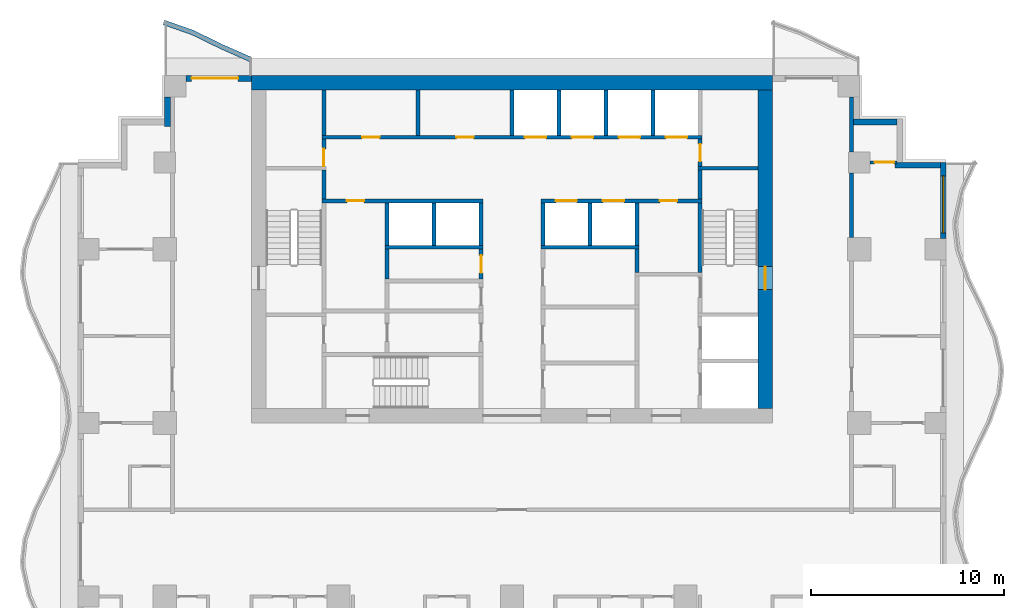
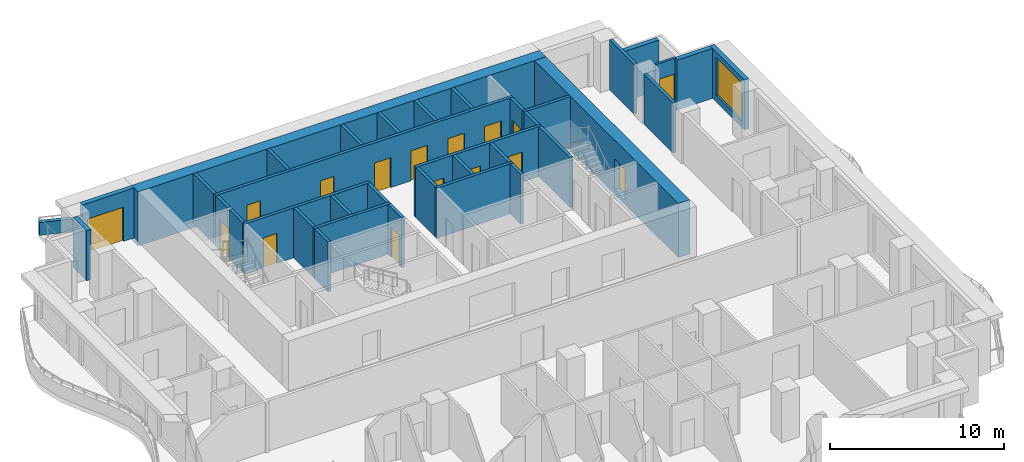
# One storey, part 5 of 10: 37 walls, 16 doors, 1 window, 17 openings.
"""IFC4 building model written with IfcOpenShell, lengths in metres."""

from ifc_helpers import new_model, si_unit, direction, frame, frame_2d, origin, place, context, subcontext, project, spatial, polyline, rectangle, outline, extrude, material, layer, layer_set, type_object, element, fill, save


model = new_model("IFC4")

# Units and contexts
model_context = context("Model", 3, precision=1e-05, world=origin(), true_north=direction((0.0, 1.0)))
body_context = subcontext(model_context, "Body", "Model", "MODEL_VIEW")
ifc_project = project(units=[si_unit("LENGTHUNIT", "METRE"), si_unit("AREAUNIT", "SQUARE_METRE"), si_unit("VOLUMEUNIT", "CUBIC_METRE"), si_unit("PLANEANGLEUNIT", "RADIAN"), si_unit("MASSUNIT", "GRAM", prefix="KILO")], contexts=[model_context])

# Site, building, storey
site_placement = place(None, origin())
site = spatial("IfcSite", under=ifc_project, at=site_placement, CompositionType="ELEMENT")
building_placement = place(site_placement, origin())
building = spatial("IfcBuilding", under=site, at=building_placement, Name="Orbiselva Terraces", CompositionType="ELEMENT")
storey_placement = place(building_placement, frame((0.0, 0.0, 170.6)))
storey = spatial("IfcBuildingStorey", under=building, at=storey_placement, Name="L43", CompositionType="ELEMENT", Elevation=170.6)

# Wall, opening, door
ifc_material_1 = material(Name="Concrete C80/95", Category="concrete")
ifc_layer_1 = layer(ifc_material_1, 0.75)
ifc_layer_set_1 = layer_set([ifc_layer_1], Name="Concrete C80/95")
wall_type_1 = type_object("IfcWallType", Name="CORE WALL 750", PredefinedType="SHEAR", material=ifc_layer_set_1)
wall_1_placement = place(storey_placement, frame((13.125, 5.25, -0.3), z_axis=(0.0, 0.0, 1.0), x_axis=(0.0, 1.0, 0.0)))
wall_1 = element("IfcWall", 1, at=wall_1_placement, inside=storey, type_object=wall_type_1, Name="Core wall L43 east", PredefinedType="SHEAR", context=body_context, shape_type="SweptSolid", body=[
    extrude(rectangle(XDim=16.5, YDim=0.75, at=frame_2d((8.25, 0.0))), origin(), (0.0, 0.0, 1.0), 3.8),
])
opening_1_placement = place(wall_1_placement, frame((6.15, 0.0, 0.3)))
opening_1 = element("IfcOpeningElement", 2, at=opening_1_placement, cuts=wall_1, Name="Opening DS1200", PredefinedType="OPENING", context=body_context, shape_type="SweptSolid", body=[
    extrude(rectangle(XDim=1.2, YDim=2.2, at=frame_2d((0.6, 1.1))), frame((0.0, 0.385, 0.0), z_axis=(0.0, -1.0, 0.0), x_axis=(1.0, 0.0, 0.0)), (0.0, 0.0, 1.0), 0.77),
])
ifc_material_2 = material(Name="Steel fire door", Category="steel")
door_type_1 = type_object("IfcDoorType", Name="STAIR DOOR 1200", OperationType="NOTDEFINED", PredefinedType="DOOR", material=ifc_material_2)
door_1_placement = place(opening_1_placement, frame((1.2, 0.0, 0.0), z_axis=(0.0, 0.0, 1.0), x_axis=(-1.0, 0.0, 0.0)))
door_1 = element("IfcDoor", 3, at=door_1_placement, inside=storey, type_object=door_type_1, Name="L43 EXIT STAIR S2 door", OperationType="SINGLE_SWING_LEFT", OverallHeight=2.2, OverallWidth=1.2, PredefinedType="DOOR", context=body_context, shape_type="SweptSolid", body=[
    extrude(rectangle(XDim=1.2, YDim=2.2, at=frame_2d((0.6, 1.1))), frame((0.0, 0.025, 0.0), z_axis=(0.0, -1.0, 0.0), x_axis=(1.0, 0.0, 0.0)), (0.0, 0.0, 1.0), 0.05),
])
fill(opening_1, door_1)

# Wall
ifc_layer_2 = layer(ifc_material_1, 0.75)
ifc_layer_set_2 = layer_set([ifc_layer_2], Name="Concrete C80/95")
wall_type_2 = type_object("IfcWallType", Name="CORE WALL 750 EXTERNAL", PredefinedType="SHEAR", material=ifc_layer_set_2)
wall_2_placement = place(storey_placement, frame((13.5, 22.125, -0.3), z_axis=(0.0, 0.0, 1.0), x_axis=(-1.0, 0.0, 0.0)))
element("IfcWall", 4, at=wall_2_placement, inside=storey, type_object=wall_type_2, Name="Core wall L43 north", PredefinedType="SHEAR", context=body_context, shape_type="SweptSolid", body=[
    extrude(rectangle(XDim=27.0, YDim=0.75, at=frame_2d((13.5, 0.0))), origin(), (0.0, 0.0, 1.0), 3.8),
])

# Wall, opening, door
ifc_material_3 = material(Name="Masonry blockwork", Category="masonry")
ifc_layer_3 = layer(ifc_material_3, 0.2)
ifc_layer_set_3 = layer_set([ifc_layer_3], Name="Masonry blockwork")
wall_type_3 = type_object("IfcWallType", Name="CORE-WALL-PARTITION-200", PredefinedType="PARTITIONING", material=ifc_layer_set_3)
wall_3_placement = place(storey_placement, frame((-9.75, 17.8, 0.0), z_axis=(0.0, 0.0, 1.0), x_axis=(0.0, 1.0, 0.0)))
wall_3 = element("IfcWall", 5, at=wall_3_placement, inside=storey, type_object=wall_type_3, Name="L43 core wall 10", PredefinedType="PARTITIONING", context=body_context, shape_type="SweptSolid", body=[
    extrude(rectangle(XDim=1.4, YDim=0.2, at=frame_2d((0.7, 0.0))), origin(), (0.0, 0.0, 1.0), 3.5),
])
opening_2_placement = place(wall_3_placement, origin())
opening_2 = element("IfcOpeningElement", 6, at=opening_2_placement, cuts=wall_3, Name="Opening DR900", PredefinedType="OPENING", context=body_context, shape_type="SweptSolid", body=[
    extrude(rectangle(XDim=0.9, YDim=2.1, at=frame_2d((0.45, 1.05))), frame((0.0, 0.11, 0.0), z_axis=(0.0, -1.0, 0.0), x_axis=(1.0, 0.0, 0.0)), (0.0, 0.0, 1.0), 0.22),
])
door_type_2 = type_object("IfcDoorType", Name="ROOM DOOR 900", OperationType="NOTDEFINED", PredefinedType="DOOR", material=ifc_material_2)
door_2_placement = place(opening_2_placement, origin())
door_2 = element("IfcDoor", 7, at=door_2_placement, inside=storey, type_object=door_type_2, Name="L43 COMMS RISER ROOM door", OperationType="SINGLE_SWING_LEFT", OverallHeight=2.1, OverallWidth=0.9, PredefinedType="DOOR", context=body_context, shape_type="SweptSolid", body=[
    extrude(rectangle(XDim=0.9, YDim=2.1, at=frame_2d((0.45, 1.05))), frame((0.0, 0.025, 0.0), z_axis=(0.0, -1.0, 0.0), x_axis=(1.0, 0.0, 0.0)), (0.0, 0.0, 1.0), 0.05),
])
fill(opening_2, door_2)

# Walls
wall_4_placement = place(storey_placement, frame((-9.75, 19.4, 0.0), z_axis=(0.0, 0.0, 1.0), x_axis=(0.0, 1.0, 0.0)))
element("IfcWall", 8, at=wall_4_placement, inside=storey, type_object=wall_type_3, Name="L43 core wall 12", PredefinedType="PARTITIONING", context=body_context, shape_type="SweptSolid", body=[
    extrude(rectangle(XDim=2.35, YDim=0.2, at=frame_2d((1.175, 0.0))), origin(), (0.0, 0.0, 1.0), 3.5),
])
wall_5_placement = place(storey_placement, frame((-6.475, 11.95, 0.0), z_axis=(0.0, 0.0, 1.0), x_axis=(0.0, 1.0, 0.0)))
element("IfcWall", 9, at=wall_5_placement, inside=storey, type_object=wall_type_3, Name="L43 core wall 16", PredefinedType="PARTITIONING", context=body_context, shape_type="SweptSolid", body=[
    extrude(rectangle(XDim=1.55, YDim=0.2, at=frame_2d((0.775, 0.0))), origin(), (0.0, 0.0, 1.0), 3.5),
])
wall_6_placement = place(storey_placement, frame((-4.875, 19.4, 0.0), z_axis=(0.0, 0.0, 1.0), x_axis=(0.0, 1.0, 0.0)))
element("IfcWall", 10, at=wall_6_placement, inside=storey, type_object=wall_type_3, Name="L43 core wall 19", PredefinedType="PARTITIONING", context=body_context, shape_type="SweptSolid", body=[
    extrude(rectangle(XDim=2.35, YDim=0.2, at=frame_2d((1.175, 0.0))), origin(), (0.0, 0.0, 1.0), 3.5),
])

# Wall, opening, door
wall_7_placement = place(storey_placement, frame((-1.6, 11.95, 0.0), z_axis=(0.0, 0.0, 1.0), x_axis=(0.0, 1.0, 0.0)))
wall_7 = element("IfcWall", 11, at=wall_7_placement, inside=storey, type_object=wall_type_3, Name="L43 core wall 24", PredefinedType="PARTITIONING", context=body_context, shape_type="SweptSolid", body=[
    extrude(rectangle(XDim=1.55, YDim=0.2, at=frame_2d((0.775, 0.0))), origin(), (0.0, 0.0, 1.0), 3.5),
])
opening_3_placement = place(wall_7_placement, frame((0.325, 0.0, 0.0)))
opening_3 = element("IfcOpeningElement", 12, at=opening_3_placement, cuts=wall_7, Name="Opening DR900", PredefinedType="OPENING", context=body_context, shape_type="SweptSolid", body=[
    extrude(rectangle(XDim=0.9, YDim=2.1, at=frame_2d((0.45, 1.05))), frame((0.0, 0.11, 0.0), z_axis=(0.0, -1.0, 0.0), x_axis=(1.0, 0.0, 0.0)), (0.0, 0.0, 1.0), 0.22),
])
door_3_placement = place(opening_3_placement, origin())
door_3 = element("IfcDoor", 13, at=door_3_placement, inside=storey, type_object=door_type_2, Name="L43 LINEN STORE door", OperationType="SINGLE_SWING_LEFT", OverallHeight=2.1, OverallWidth=0.9, PredefinedType="DOOR", context=body_context, shape_type="SweptSolid", body=[
    extrude(rectangle(XDim=0.9, YDim=2.1, at=frame_2d((0.45, 1.05))), frame((0.0, 0.025, 0.0), z_axis=(0.0, -1.0, 0.0), x_axis=(1.0, 0.0, 0.0)), (0.0, 0.0, 1.0), 0.05),
])
fill(opening_3, door_3)

# Wall
wall_8_placement = place(storey_placement, frame((6.475, 12.3, 0.0), z_axis=(0.0, 0.0, 1.0), x_axis=(0.0, 1.0, 0.0)))
element("IfcWall", 14, at=wall_8_placement, inside=storey, type_object=wall_type_3, Name="L43 core wall 42", PredefinedType="PARTITIONING", context=body_context, shape_type="SweptSolid", body=[
    extrude(rectangle(XDim=1.2, YDim=0.2, at=frame_2d((0.6, 0.0))), origin(), (0.0, 0.0, 1.0), 3.5),
])

# Wall, opening, door
wall_9_placement = place(storey_placement, frame((9.75, 19.2, 0.0), z_axis=(0.0, 0.0, 1.0), x_axis=(0.0, -1.0, 0.0)))
wall_9 = element("IfcWall", 15, at=wall_9_placement, inside=storey, type_object=wall_type_3, Name="L43 core wall 53", PredefinedType="PARTITIONING", context=body_context, shape_type="SweptSolid", body=[
    extrude(rectangle(XDim=1.4, YDim=0.2, at=frame_2d((0.7, 0.0))), origin(), (0.0, 0.0, 1.0), 3.5),
])
opening_4_placement = place(wall_9_placement, frame((0.25, 0.0, 0.0)))
opening_4 = element("IfcOpeningElement", 16, at=opening_4_placement, cuts=wall_9, Name="Opening DR900", PredefinedType="OPENING", context=body_context, shape_type="SweptSolid", body=[
    extrude(rectangle(XDim=0.9, YDim=2.1, at=frame_2d((0.45, 1.05))), frame((0.0, 0.11, 0.0), z_axis=(0.0, -1.0, 0.0), x_axis=(1.0, 0.0, 0.0)), (0.0, 0.0, 1.0), 0.22),
])
door_4_placement = place(opening_4_placement, origin())
door_4 = element("IfcDoor", 17, at=door_4_placement, inside=storey, type_object=door_type_2, Name="L43 ELECTRICAL RISER ROOM door", OperationType="SINGLE_SWING_RIGHT", OverallHeight=2.1, OverallWidth=0.9, PredefinedType="DOOR", context=body_context, shape_type="SweptSolid", body=[
    extrude(rectangle(XDim=0.9, YDim=2.1, at=frame_2d((0.45, 1.05))), frame((0.0, 0.025, 0.0), z_axis=(0.0, -1.0, 0.0), x_axis=(1.0, 0.0, 0.0)), (0.0, 0.0, 1.0), 0.05),
])
fill(opening_4, door_4)

# Walls
ifc_material_4 = material(Name="Concrete C40/50", Category="concrete")
ifc_layer_4 = layer(ifc_material_4, 0.2)
ifc_layer_set_4 = layer_set([ifc_layer_4], Name="Concrete C40/50")
wall_type_4 = type_object("IfcWallType", Name="CORE-WALL-SHAFT-200", PredefinedType="PARTITIONING", material=ifc_layer_set_4)
for number, where, z_axis, x_axis, name in (
    (18, (-6.475, 13.7, 0.0), (0.0, 0.0, 1.0), (0.0, 1.0, 0.0), "L43 core wall 18"),
    (19, (-4.0375, 13.7, 0.0), (0.0, 0.0, 1.0), (0.0, 1.0, 0.0), "L43 core wall 20"),
    (20, (-1.6, 13.7, 0.0), (0.0, 0.0, 1.0), (0.0, 1.0, 0.0), "L43 core wall 25"),
):
    element("IfcWall", number, at=place(storey_placement, frame(where, z_axis=z_axis, x_axis=x_axis)), inside=storey, type_object=wall_type_4, Name=name, PredefinedType="PARTITIONING", context=body_context, shape_type="SweptSolid", body=[
        extrude(rectangle(XDim=2.2, YDim=0.2, at=frame_2d((1.1, 0.0))), origin(), (0.0, 0.0, 1.0), 3.5),
    ])
wall_10_placement = place(storey_placement, frame((0.0, 19.4, 0.0), z_axis=(0.0, 0.0, 1.0), x_axis=(0.0, 1.0, 0.0)))
element("IfcWall", 21, at=wall_10_placement, inside=storey, type_object=wall_type_4, Name="L43 core wall 26", PredefinedType="PARTITIONING", context=body_context, shape_type="SweptSolid", body=[
    extrude(rectangle(XDim=2.35, YDim=0.2, at=frame_2d((1.175, 0.0))), origin(), (0.0, 0.0, 1.0), 3.5),
])
wall_11_placement = place(storey_placement, frame((1.6, 13.7, 0.0), z_axis=(0.0, 0.0, 1.0), x_axis=(0.0, 1.0, 0.0)))
element("IfcWall", 22, at=wall_11_placement, inside=storey, type_object=wall_type_4, Name="L43 core wall 33", PredefinedType="PARTITIONING", context=body_context, shape_type="SweptSolid", body=[
    extrude(rectangle(XDim=2.2, YDim=0.2, at=frame_2d((1.1, 0.0))), origin(), (0.0, 0.0, 1.0), 3.5),
])
wall_12_placement = place(storey_placement, frame((2.4375, 19.4, 0.0), z_axis=(0.0, 0.0, 1.0), x_axis=(0.0, 1.0, 0.0)))
element("IfcWall", 23, at=wall_12_placement, inside=storey, type_object=wall_type_4, Name="L43 core wall 35", PredefinedType="PARTITIONING", context=body_context, shape_type="SweptSolid", body=[
    extrude(rectangle(XDim=2.35, YDim=0.2, at=frame_2d((1.175, 0.0))), origin(), (0.0, 0.0, 1.0), 3.5),
])
wall_13_placement = place(storey_placement, frame((4.0375, 13.7, 0.0), z_axis=(0.0, 0.0, 1.0), x_axis=(0.0, 1.0, 0.0)))
element("IfcWall", 24, at=wall_13_placement, inside=storey, type_object=wall_type_4, Name="L43 core wall 36", PredefinedType="PARTITIONING", context=body_context, shape_type="SweptSolid", body=[
    extrude(rectangle(XDim=2.2, YDim=0.2, at=frame_2d((1.1, 0.0))), origin(), (0.0, 0.0, 1.0), 3.5),
])
wall_14_placement = place(storey_placement, frame((4.875, 19.4, 0.0), z_axis=(0.0, 0.0, 1.0), x_axis=(0.0, 1.0, 0.0)))
element("IfcWall", 25, at=wall_14_placement, inside=storey, type_object=wall_type_4, Name="L43 core wall 37", PredefinedType="PARTITIONING", context=body_context, shape_type="SweptSolid", body=[
    extrude(rectangle(XDim=2.35, YDim=0.2, at=frame_2d((1.175, 0.0))), origin(), (0.0, 0.0, 1.0), 3.5),
])
wall_15_placement = place(storey_placement, frame((6.475, 13.7, 0.0), z_axis=(0.0, 0.0, 1.0), x_axis=(0.0, 1.0, 0.0)))
element("IfcWall", 26, at=wall_15_placement, inside=storey, type_object=wall_type_4, Name="L43 core wall 43", PredefinedType="PARTITIONING", context=body_context, shape_type="SweptSolid", body=[
    extrude(rectangle(XDim=2.2, YDim=0.2, at=frame_2d((1.1, 0.0))), origin(), (0.0, 0.0, 1.0), 3.5),
])
wall_16_placement = place(storey_placement, frame((7.3125, 19.4, 0.0), z_axis=(0.0, 0.0, 1.0), x_axis=(0.0, 1.0, 0.0)))
element("IfcWall", 27, at=wall_16_placement, inside=storey, type_object=wall_type_4, Name="L43 core wall 44", PredefinedType="PARTITIONING", context=body_context, shape_type="SweptSolid", body=[
    extrude(rectangle(XDim=2.35, YDim=0.2, at=frame_2d((1.175, 0.0))), origin(), (0.0, 0.0, 1.0), 3.5),
])

# Wall, opening, door
ifc_material_5 = material(Name="Concrete C60/75", Category="concrete")
ifc_layer_5 = layer(ifc_material_5, 0.2)
ifc_layer_set_5 = layer_set([ifc_layer_5], Name="Concrete C60/75")
wall_type_5 = type_object("IfcWallType", Name="CORE-WALL-SHEAR-200", PredefinedType="SHEAR", material=ifc_layer_set_5)
wall_17_placement = place(storey_placement, frame((-1.5, 16.0, 0.0), z_axis=(0.0, 0.0, 1.0), x_axis=(-1.0, 0.0, 0.0)))
wall_17 = element("IfcWall", 28, at=wall_17_placement, inside=storey, type_object=wall_type_5, Name="L43 core wall 08", PredefinedType="SHEAR", context=body_context, shape_type="SweptSolid", body=[
    extrude(rectangle(XDim=8.35, YDim=0.2, at=frame_2d((4.175, 0.0))), origin(), (0.0, 0.0, 1.0), 3.5),
])
opening_5_placement = place(wall_17_placement, frame((6.1625, 0.0, 0.0)))
opening_5 = element("IfcOpeningElement", 29, at=opening_5_placement, cuts=wall_17, Name="Opening DR900", PredefinedType="OPENING", context=body_context, shape_type="SweptSolid", body=[
    extrude(rectangle(XDim=0.9, YDim=2.1, at=frame_2d((0.45, 1.05))), frame((0.0, 0.11, 0.0), z_axis=(0.0, -1.0, 0.0), x_axis=(1.0, 0.0, 0.0)), (0.0, 0.0, 1.0), 0.22),
])
door_5_placement = place(opening_5_placement, origin())
door_5 = element("IfcDoor", 30, at=door_5_placement, inside=storey, type_object=door_type_2, Name="L43 GUEST PANTRY door", OperationType="SINGLE_SWING_RIGHT", OverallHeight=2.1, OverallWidth=0.9, PredefinedType="DOOR", context=body_context, shape_type="SweptSolid", body=[
    extrude(rectangle(XDim=0.9, YDim=2.1, at=frame_2d((0.45, 1.05))), frame((0.0, 0.025, 0.0), z_axis=(0.0, -1.0, 0.0), x_axis=(1.0, 0.0, 0.0)), (0.0, 0.0, 1.0), 0.05),
])
fill(opening_5, door_5)

# Wall
wall_18_placement = place(storey_placement, frame((-9.75, 16.1, 0.0), z_axis=(0.0, 0.0, 1.0), x_axis=(0.0, 1.0, 0.0)))
element("IfcWall", 31, at=wall_18_placement, inside=storey, type_object=wall_type_5, Name="L43 core wall 09", PredefinedType="SHEAR", context=body_context, shape_type="SweptSolid", body=[
    extrude(rectangle(XDim=1.5, YDim=0.2, at=frame_2d((0.75, 0.0))), origin(), (0.0, 0.0, 1.0), 3.5),
])

# Wall, openings, doors
wall_19_placement = place(storey_placement, frame((-9.85, 19.3, 0.0), z_axis=(0.0, 0.0, 1.0), x_axis=(1.0, 0.0, 0.0)))
wall_19 = element("IfcWall", 32, at=wall_19_placement, inside=storey, type_object=wall_type_5, Name="L43 core wall 11", PredefinedType="SHEAR", context=body_context, shape_type="SweptSolid", body=[
    extrude(rectangle(XDim=19.7, YDim=0.2, at=frame_2d((9.85, 0.0))), origin(), (0.0, 0.0, 1.0), 3.5),
])
opening_6_placement = place(wall_19_placement, frame((10.51875, 0.0, 0.0)))
opening_6 = element("IfcOpeningElement", 33, at=opening_6_placement, cuts=wall_19, Name="Opening LD-HR1", PredefinedType="OPENING", context=body_context, shape_type="SweptSolid", body=[
    extrude(rectangle(XDim=1.1, YDim=2.1, at=frame_2d((0.55, 1.05))), frame((0.0, 0.11, 0.0), z_axis=(0.0, -1.0, 0.0), x_axis=(1.0, 0.0, 0.0)), (0.0, 0.0, 1.0), 0.22),
])
opening_7_placement = place(wall_19_placement, frame((12.95625, 0.0, 0.0)))
opening_7 = element("IfcOpeningElement", 34, at=opening_7_placement, cuts=wall_19, Name="Opening LD-HR2", PredefinedType="OPENING", context=body_context, shape_type="SweptSolid", body=[
    extrude(rectangle(XDim=1.1, YDim=2.1, at=frame_2d((0.55, 1.05))), frame((0.0, 0.11, 0.0), z_axis=(0.0, -1.0, 0.0), x_axis=(1.0, 0.0, 0.0)), (0.0, 0.0, 1.0), 0.22),
])
opening_8_placement = place(wall_19_placement, frame((15.39375, 0.0, 0.0)))
opening_8 = element("IfcOpeningElement", 35, at=opening_8_placement, cuts=wall_19, Name="Opening LD-HR3", PredefinedType="OPENING", context=body_context, shape_type="SweptSolid", body=[
    extrude(rectangle(XDim=1.1, YDim=2.1, at=frame_2d((0.55, 1.05))), frame((0.0, 0.11, 0.0), z_axis=(0.0, -1.0, 0.0), x_axis=(1.0, 0.0, 0.0)), (0.0, 0.0, 1.0), 0.22),
])
opening_9_placement = place(wall_19_placement, frame((17.83125, 0.0, 0.0)))
opening_9 = element("IfcOpeningElement", 36, at=opening_9_placement, cuts=wall_19, Name="Opening LD-HR4", PredefinedType="OPENING", context=body_context, shape_type="SweptSolid", body=[
    extrude(rectangle(XDim=1.1, YDim=2.1, at=frame_2d((0.55, 1.05))), frame((0.0, 0.11, 0.0), z_axis=(0.0, -1.0, 0.0), x_axis=(1.0, 0.0, 0.0)), (0.0, 0.0, 1.0), 0.22),
])
opening_10_placement = place(wall_19_placement, frame((2.0875, 0.0, 0.0)))
opening_10 = element("IfcOpeningElement", 37, at=opening_10_placement, cuts=wall_19, Name="Opening DR900", PredefinedType="OPENING", context=body_context, shape_type="SweptSolid", body=[
    extrude(rectangle(XDim=0.9, YDim=2.1, at=frame_2d((0.45, 1.05))), frame((0.0, 0.11, 0.0), z_axis=(0.0, -1.0, 0.0), x_axis=(1.0, 0.0, 0.0)), (0.0, 0.0, 1.0), 0.22),
])
opening_11_placement = place(wall_19_placement, frame((6.9625, 0.0, 0.0)))
opening_11 = element("IfcOpeningElement", 38, at=opening_11_placement, cuts=wall_19, Name="Opening DR900", PredefinedType="OPENING", context=body_context, shape_type="SweptSolid", body=[
    extrude(rectangle(XDim=0.9, YDim=2.1, at=frame_2d((0.45, 1.05))), frame((0.0, 0.11, 0.0), z_axis=(0.0, -1.0, 0.0), x_axis=(1.0, 0.0, 0.0)), (0.0, 0.0, 1.0), 0.22),
])
ifc_material_6 = material(Name="Stainless steel landing door", Category="steel")
door_type_3 = type_object("IfcDoorType", Name="LANDING DOOR 1100", OperationType="SLIDING_TO_LEFT", PredefinedType="DOOR", material=ifc_material_6)
door_6_placement = place(opening_6_placement, origin())
door_6 = element("IfcDoor", 39, at=door_6_placement, inside=storey, type_object=door_type_3, Name="L43 landing door HR1", OperationType="SLIDING_TO_RIGHT", OverallHeight=2.1, OverallWidth=1.1, PredefinedType="DOOR", context=body_context, shape_type="SweptSolid", body=[
    extrude(rectangle(XDim=1.1, YDim=2.1, at=frame_2d((0.55, 1.05))), frame((0.0, 0.025, 0.0), z_axis=(0.0, -1.0, 0.0), x_axis=(1.0, 0.0, 0.0)), (0.0, 0.0, 1.0), 0.05),
])
fill(opening_6, door_6)
door_7_placement = place(opening_7_placement, origin())
door_7 = element("IfcDoor", 40, at=door_7_placement, inside=storey, type_object=door_type_3, Name="L43 landing door HR2", OperationType="SLIDING_TO_RIGHT", OverallHeight=2.1, OverallWidth=1.1, PredefinedType="DOOR", context=body_context, shape_type="SweptSolid", body=[
    extrude(rectangle(XDim=1.1, YDim=2.1, at=frame_2d((0.55, 1.05))), frame((0.0, 0.025, 0.0), z_axis=(0.0, -1.0, 0.0), x_axis=(1.0, 0.0, 0.0)), (0.0, 0.0, 1.0), 0.05),
])
fill(opening_7, door_7)
door_8_placement = place(opening_8_placement, origin())
door_8 = element("IfcDoor", 41, at=door_8_placement, inside=storey, type_object=door_type_3, Name="L43 landing door HR3", OperationType="SLIDING_TO_RIGHT", OverallHeight=2.1, OverallWidth=1.1, PredefinedType="DOOR", context=body_context, shape_type="SweptSolid", body=[
    extrude(rectangle(XDim=1.1, YDim=2.1, at=frame_2d((0.55, 1.05))), frame((0.0, 0.025, 0.0), z_axis=(0.0, -1.0, 0.0), x_axis=(1.0, 0.0, 0.0)), (0.0, 0.0, 1.0), 0.05),
])
fill(opening_8, door_8)
door_9_placement = place(opening_9_placement, origin())
door_9 = element("IfcDoor", 42, at=door_9_placement, inside=storey, type_object=door_type_3, Name="L43 landing door HR4", OperationType="SLIDING_TO_RIGHT", OverallHeight=2.1, OverallWidth=1.1, PredefinedType="DOOR", context=body_context, shape_type="SweptSolid", body=[
    extrude(rectangle(XDim=1.1, YDim=2.1, at=frame_2d((0.55, 1.05))), frame((0.0, 0.025, 0.0), z_axis=(0.0, -1.0, 0.0), x_axis=(1.0, 0.0, 0.0)), (0.0, 0.0, 1.0), 0.05),
])
fill(opening_9, door_9)
door_10_placement = place(opening_10_placement, origin())
door_10 = element("IfcDoor", 43, at=door_10_placement, inside=storey, type_object=door_type_2, Name="L43 PANTRY door", OperationType="SINGLE_SWING_LEFT", OverallHeight=2.1, OverallWidth=0.9, PredefinedType="DOOR", context=body_context, shape_type="SweptSolid", body=[
    extrude(rectangle(XDim=0.9, YDim=2.1, at=frame_2d((0.45, 1.05))), frame((0.0, 0.025, 0.0), z_axis=(0.0, -1.0, 0.0), x_axis=(1.0, 0.0, 0.0)), (0.0, 0.0, 1.0), 0.05),
])
fill(opening_10, door_10)
door_11_placement = place(opening_11_placement, origin())
door_11 = element("IfcDoor", 44, at=door_11_placement, inside=storey, type_object=door_type_2, Name="L43 STAFF LOUNGE door", OperationType="SINGLE_SWING_LEFT", OverallHeight=2.1, OverallWidth=0.9, PredefinedType="DOOR", context=body_context, shape_type="SweptSolid", body=[
    extrude(rectangle(XDim=0.9, YDim=2.1, at=frame_2d((0.45, 1.05))), frame((0.0, 0.025, 0.0), z_axis=(0.0, -1.0, 0.0), x_axis=(1.0, 0.0, 0.0)), (0.0, 0.0, 1.0), 0.05),
])
fill(opening_11, door_11)

# Walls
for number, where, z_axis, x_axis, name in (
    (45, (-6.575, 13.6, 0.0), (0.0, 0.0, 1.0), (1.0, 0.0, 0.0), "L43 core wall 17"),
    (46, (1.5, 13.6, 0.0), (0.0, 0.0, 1.0), (1.0, 0.0, 0.0), "L43 core wall 32"),
):
    element("IfcWall", number, at=place(storey_placement, frame(where, z_axis=z_axis, x_axis=x_axis)), inside=storey, type_object=wall_type_5, Name=name, PredefinedType="SHEAR", context=body_context, shape_type="SweptSolid", body=[
        extrude(rectangle(XDim=5.075, YDim=0.2, at=frame_2d((2.5375, 0.0))), origin(), (0.0, 0.0, 1.0), 3.5),
    ])

# Wall, openings, doors
wall_20_placement = place(storey_placement, frame((9.85, 16.0, 0.0), z_axis=(0.0, 0.0, 1.0), x_axis=(-1.0, 0.0, 0.0)))
wall_20 = element("IfcWall", 47, at=wall_20_placement, inside=storey, type_object=wall_type_5, Name="L43 core wall 34", PredefinedType="SHEAR", context=body_context, shape_type="SweptSolid", body=[
    extrude(rectangle(XDim=8.35, YDim=0.2, at=frame_2d((4.175, 0.0))), origin(), (0.0, 0.0, 1.0), 3.5),
])
opening_12_placement = place(wall_20_placement, frame((6.48125, 0.0, 0.0)))
opening_12 = element("IfcOpeningElement", 48, at=opening_12_placement, cuts=wall_20, Name="Opening LD-HR5", PredefinedType="OPENING", context=body_context, shape_type="SweptSolid", body=[
    extrude(rectangle(XDim=1.1, YDim=2.1, at=frame_2d((0.55, 1.05))), frame((0.0, 0.11, 0.0), z_axis=(0.0, -1.0, 0.0), x_axis=(1.0, 0.0, 0.0)), (0.0, 0.0, 1.0), 0.22),
])
opening_13_placement = place(wall_20_placement, frame((4.04375, 0.0, 0.0)))
opening_13 = element("IfcOpeningElement", 49, at=opening_13_placement, cuts=wall_20, Name="Opening LD-HR6", PredefinedType="OPENING", context=body_context, shape_type="SweptSolid", body=[
    extrude(rectangle(XDim=1.1, YDim=2.1, at=frame_2d((0.55, 1.05))), frame((0.0, 0.11, 0.0), z_axis=(0.0, -1.0, 0.0), x_axis=(1.0, 0.0, 0.0)), (0.0, 0.0, 1.0), 0.22),
])
opening_14_placement = place(wall_20_placement, frame((1.2875, 0.0, 0.0)))
opening_14 = element("IfcOpeningElement", 50, at=opening_14_placement, cuts=wall_20, Name="Opening DR900", PredefinedType="OPENING", context=body_context, shape_type="SweptSolid", body=[
    extrude(rectangle(XDim=0.9, YDim=2.1, at=frame_2d((0.45, 1.05))), frame((0.0, 0.11, 0.0), z_axis=(0.0, -1.0, 0.0), x_axis=(1.0, 0.0, 0.0)), (0.0, 0.0, 1.0), 0.22),
])
door_12_placement = place(opening_12_placement, origin())
door_12 = element("IfcDoor", 51, at=door_12_placement, inside=storey, type_object=door_type_3, Name="L43 landing door HR5", OperationType="SLIDING_TO_RIGHT", OverallHeight=2.1, OverallWidth=1.1, PredefinedType="DOOR", context=body_context, shape_type="SweptSolid", body=[
    extrude(rectangle(XDim=1.1, YDim=2.1, at=frame_2d((0.55, 1.05))), frame((0.0, 0.025, 0.0), z_axis=(0.0, -1.0, 0.0), x_axis=(1.0, 0.0, 0.0)), (0.0, 0.0, 1.0), 0.05),
])
fill(opening_12, door_12)
door_13_placement = place(opening_13_placement, origin())
door_13 = element("IfcDoor", 52, at=door_13_placement, inside=storey, type_object=door_type_3, Name="L43 landing door HR6", OperationType="SLIDING_TO_RIGHT", OverallHeight=2.1, OverallWidth=1.1, PredefinedType="DOOR", context=body_context, shape_type="SweptSolid", body=[
    extrude(rectangle(XDim=1.1, YDim=2.1, at=frame_2d((0.55, 1.05))), frame((0.0, 0.025, 0.0), z_axis=(0.0, -1.0, 0.0), x_axis=(1.0, 0.0, 0.0)), (0.0, 0.0, 1.0), 0.05),
])
fill(opening_13, door_13)
door_14_placement = place(opening_14_placement, origin())
door_14 = element("IfcDoor", 53, at=door_14_placement, inside=storey, type_object=door_type_2, Name="L43 PIPE RISER ROOM door", OperationType="SINGLE_SWING_LEFT", OverallHeight=2.1, OverallWidth=0.9, PredefinedType="DOOR", context=body_context, shape_type="SweptSolid", body=[
    extrude(rectangle(XDim=0.9, YDim=2.1, at=frame_2d((0.45, 1.05))), frame((0.0, 0.025, 0.0), z_axis=(0.0, -1.0, 0.0), x_axis=(1.0, 0.0, 0.0)), (0.0, 0.0, 1.0), 0.05),
])
fill(opening_14, door_14)

# Walls
wall_21_placement = place(storey_placement, frame((9.75, 12.3, 0.0), z_axis=(0.0, 0.0, 1.0), x_axis=(0.0, 1.0, 0.0)))
element("IfcWall", 54, at=wall_21_placement, inside=storey, type_object=wall_type_5, Name="L43 core wall 50", PredefinedType="SHEAR", context=body_context, shape_type="SweptSolid", body=[
    extrude(rectangle(XDim=3.6, YDim=0.2, at=frame_2d((1.8, 0.0))), origin(), (0.0, 0.0, 1.0), 3.5),
])
wall_22_placement = place(storey_placement, frame((9.75, 16.1, 0.0), z_axis=(0.0, 0.0, 1.0), x_axis=(0.0, 1.0, 0.0)))
element("IfcWall", 55, at=wall_22_placement, inside=storey, type_object=wall_type_5, Name="L43 core wall 51", PredefinedType="SHEAR", context=body_context, shape_type="SweptSolid", body=[
    extrude(rectangle(XDim=1.5, YDim=0.2, at=frame_2d((0.75, 0.0))), origin(), (0.0, 0.0, 1.0), 3.5),
])
wall_23_placement = place(storey_placement, frame((9.65, 17.7, 0.0), z_axis=(0.0, 0.0, 1.0), x_axis=(1.0, 0.0, 0.0)))
element("IfcWall", 56, at=wall_23_placement, inside=storey, type_object=wall_type_5, Name="L43 core wall 52", PredefinedType="SHEAR", context=body_context, shape_type="SweptSolid", body=[
    extrude(rectangle(XDim=3.1, YDim=0.2, at=frame_2d((1.55, 0.0))), origin(), (0.0, 0.0, 1.0), 3.5),
])
ifc_layer_6 = layer(ifc_material_4, 0.25)
ifc_layer_set_6 = layer_set([ifc_layer_6], Name="Concrete C40/50")
wall_type_6 = type_object("IfcWallType", Name="ENV-PLANTER-250x900", PredefinedType="USERDEFINED", material=ifc_layer_set_6)
wall_24_placement = place(storey_placement, origin())
element("IfcWall", 57, at=wall_24_placement, inside=storey, type_object=wall_type_6, Name="Balcony planter L43 NW", ObjectType="PLANTER", PredefinedType="USERDEFINED", context=body_context, shape_type="SweptSolid", body=[
    extrude(outline(polyline([(-13.5, 23.451472), (-15.0, 24.112279), (-16.5, 24.844789), (-18.0, 25.369208), (-18.082506, 25.133215), (-16.59644, 24.613667), (-15.105286, 23.885477), (-13.600788, 23.222689), (-13.5, 23.451472)])), origin(), (0.0, 0.0, 1.0), 0.9),
])

# Wall, opening, window
ifc_material_7 = material(Name="Terracotta cladding on masonry backing", Category="masonry")
ifc_layer_7 = layer(ifc_material_7, 0.3)
ifc_layer_set_7 = layer_set([ifc_layer_7], Name="Terracotta cladding on masonry backing")
wall_type_7 = type_object("IfcWallType", Name="ENV-WALL-TERRACOTTA-300", PredefinedType="SOLIDWALL", material=ifc_layer_set_7)
wall_25_placement = place(storey_placement, frame((22.35, 18.0, 0.0), z_axis=(0.0, 0.0, 1.0), x_axis=(0.0, -1.0, 0.0)))
wall_25 = element("IfcWall", 58, at=wall_25_placement, inside=storey, type_object=wall_type_7, Name="Facade wall L43 E", PredefinedType="SOLIDWALL", context=body_context, shape_type="SweptSolid", body=[
    extrude(rectangle(XDim=3.95, YDim=0.3, at=frame_2d((1.975, 0.0))), origin(), (0.0, 0.0, 1.0), 3.5),
])
opening_15_placement = place(wall_25_placement, frame((0.7, 0.0, 0.45)))
opening_15 = element("IfcOpeningElement", 59, at=opening_15_placement, cuts=wall_25, Name="Opening WN12", PredefinedType="OPENING", context=body_context, shape_type="SweptSolid", body=[
    extrude(rectangle(XDim=2.95, YDim=2.65, at=frame_2d((1.475, 1.325))), frame((0.0, 0.16, 0.0), z_axis=(0.0, -1.0, 0.0), x_axis=(1.0, 0.0, 0.0)), (0.0, 0.0, 1.0), 0.32),
])
ifc_material_8 = material(Name="Clear low-e glazing in aluminium frame", Category="aluminium")
window_type = type_object("IfcWindowType", Name="WINDOW 2950 X 2650 S450", PartitioningType="TRIPLE_PANEL_VERTICAL", PredefinedType="WINDOW", material=ifc_material_8)
window_placement = place(opening_15_placement, origin())
window = element("IfcWindow", 60, at=window_placement, inside=storey, type_object=window_type, Name="Window L43 E", OverallHeight=2.65, OverallWidth=2.95, PartitioningType="SINGLE_PANEL", PredefinedType="WINDOW", context=body_context, shape_type="SweptSolid", body=[
    extrude(rectangle(XDim=2.95, YDim=2.65, at=frame_2d((1.475, 1.325))), frame((0.0, 0.03, 0.0), z_axis=(0.0, -1.0, 0.0), x_axis=(1.0, 0.0, 0.0)), (0.0, 0.0, 1.0), 0.06),
])
fill(opening_15, window)

# Walls
for number, where, z_axis, x_axis, name in (
    (61, (19.85, 17.85, 0.0), (0.0, 0.0, 1.0), (1.0, 0.0, 0.0), "Facade wall L43 STEP"),
    (62, (17.6, 20.1, 0.0), (0.0, 0.0, 1.0), (1.0, 0.0, 0.0), "Facade wall L43 STEP"),
):
    element("IfcWall", number, at=place(storey_placement, frame(where, z_axis=z_axis, x_axis=x_axis)), inside=storey, type_object=wall_type_7, Name=name, PredefinedType="SOLIDWALL", context=body_context, shape_type="SweptSolid", body=[
        extrude(rectangle(XDim=2.35, YDim=0.3, at=frame_2d((1.175, 0.0))), origin(), (0.0, 0.0, 1.0), 3.5),
    ])

# Wall, opening, door
wall_26_placement = place(storey_placement, frame((-16.9, 22.35, 0.0), z_axis=(0.0, 0.0, 1.0), x_axis=(1.0, 0.0, 0.0)))
wall_26 = element("IfcWall", 63, at=wall_26_placement, inside=storey, type_object=wall_type_7, Name="Facade wall L43 NW", PredefinedType="SOLIDWALL", context=body_context, shape_type="SweptSolid", body=[
    extrude(rectangle(XDim=3.4, YDim=0.3, at=frame_2d((1.7, 0.0))), origin(), (0.0, 0.0, 1.0), 3.5),
])
opening_16_placement = place(wall_26_placement, frame((0.3, 0.0, 0.0)))
opening_16 = element("IfcOpeningElement", 64, at=opening_16_placement, cuts=wall_26, Name="Opening Z3-E-E14", PredefinedType="OPENING", context=body_context, shape_type="SweptSolid", body=[
    extrude(rectangle(XDim=2.4, YDim=2.4, at=frame_2d((1.2, 1.2))), frame((0.0, 0.16, 0.0), z_axis=(0.0, -1.0, 0.0), x_axis=(1.0, 0.0, 0.0)), (0.0, 0.0, 1.0), 0.32),
])
door_type_4 = type_object("IfcDoorType", Name="BALCONY DOOR 2400 X 2400", OperationType="DOUBLE_DOOR_SLIDING", PredefinedType="DOOR", material=ifc_material_8)
door_15_placement = place(opening_16_placement, origin())
door_15 = element("IfcDoor", 65, at=door_15_placement, inside=storey, type_object=door_type_4, Name="Z3-E-E14", OperationType="SINGLE_SWING_LEFT", OverallHeight=2.4, OverallWidth=2.4, PredefinedType="DOOR", context=body_context, shape_type="SweptSolid", body=[
    extrude(rectangle(XDim=2.4, YDim=2.4, at=frame_2d((1.2, 1.2))), frame((0.0, 0.025, 0.0), z_axis=(0.0, -1.0, 0.0), x_axis=(1.0, 0.0, 0.0)), (0.0, 0.0, 1.0), 0.05),
])
fill(opening_16, door_15)

# Walls
wall_27_placement = place(storey_placement, frame((-17.85, 19.85, 0.0), z_axis=(0.0, 0.0, 1.0), x_axis=(0.0, 1.0, 0.0)))
element("IfcWall", 66, at=wall_27_placement, inside=storey, type_object=wall_type_7, Name="Facade wall L43 STEP", PredefinedType="SOLIDWALL", context=body_context, shape_type="SweptSolid", body=[
    extrude(rectangle(XDim=1.55, YDim=0.3, at=frame_2d((0.775, 0.0))), origin(), (0.0, 0.0, 1.0), 3.5),
])
ifc_material_9 = material(Name="Plasterboard on steel stud partition", Category="steel")
ifc_layer_8 = layer(ifc_material_9, 0.2)
ifc_layer_set_8 = layer_set([ifc_layer_8], Name="Plasterboard on steel stud partition")
wall_type_8 = type_object("IfcWallType", Name="UNIT-ENTRANCE-WALL-200", PredefinedType="PARTITIONING", material=ifc_layer_set_8)
wall_28_placement = place(storey_placement, frame((17.6, 14.1, 0.0), z_axis=(0.0, 0.0, 1.0), x_axis=(0.0, 1.0, 0.0)))
element("IfcWall", 67, at=wall_28_placement, inside=storey, type_object=wall_type_8, Name="PARTITION L43-055", PredefinedType="PARTITIONING", context=body_context, shape_type="SweptSolid", body=[
    extrude(rectangle(XDim=3.35, YDim=0.2, at=frame_2d((1.675, 0.0))), origin(), (0.0, 0.0, 1.0), 3.5),
])
wall_29_placement = place(storey_placement, frame((17.6, 18.55, 0.0), z_axis=(0.0, 0.0, 1.0), x_axis=(0.0, 1.0, 0.0)))
element("IfcWall", 68, at=wall_29_placement, inside=storey, type_object=wall_type_8, Name="PARTITION L43-056", PredefinedType="PARTITIONING", context=body_context, shape_type="SweptSolid", body=[
    extrude(rectangle(XDim=2.85, YDim=0.2, at=frame_2d((1.425, 0.0))), origin(), (0.0, 0.0, 1.0), 3.5),
])

# Wall, opening, door
ifc_layer_9 = layer(ifc_material_9, 0.15)
ifc_layer_set_9 = layer_set([ifc_layer_9], Name="Plasterboard on steel stud partition")
wall_type_9 = type_object("IfcWallType", Name="UNIT-PARTITION-150", PredefinedType="PARTITIONING", material=ifc_layer_set_9)
wall_30_placement = place(storey_placement, frame((18.55, 18.0, 0.0), z_axis=(0.0, 0.0, 1.0), x_axis=(1.0, 0.0, 0.0)))
wall_30 = element("IfcWall", 69, at=wall_30_placement, inside=storey, type_object=wall_type_9, Name="PARTITION L43-031", PredefinedType="PARTITIONING", context=body_context, shape_type="SweptSolid", body=[
    extrude(rectangle(XDim=1.4, YDim=0.15, at=frame_2d((0.7, 0.0))), origin(), (0.0, 0.0, 1.0), 3.5),
])
opening_17_placement = place(wall_30_placement, frame((0.25, 0.0, 0.0)))
opening_17 = element("IfcOpeningElement", 70, at=opening_17_placement, cuts=wall_30, Name="Opening Z3-E-10", PredefinedType="OPENING", context=body_context, shape_type="SweptSolid", body=[
    extrude(rectangle(XDim=1.0, YDim=2.4, at=frame_2d((0.5, 1.2))), frame((0.0, 0.085, 0.0), z_axis=(0.0, -1.0, 0.0), x_axis=(1.0, 0.0, 0.0)), (0.0, 0.0, 1.0), 0.17),
])
ifc_material_10 = material(Name="Painted timber door leaf", Category="wood")
door_type_5 = type_object("IfcDoorType", Name="ROOM DOOR 1000", OperationType="NOTDEFINED", PredefinedType="DOOR", material=ifc_material_10)
door_16_placement = place(opening_17_placement, origin())
door_16 = element("IfcDoor", 71, at=door_16_placement, inside=storey, type_object=door_type_5, Name="Z3-E-10", OperationType="SINGLE_SWING_RIGHT", OverallHeight=2.4, OverallWidth=1.0, PredefinedType="DOOR", context=body_context, shape_type="SweptSolid", body=[
    extrude(rectangle(XDim=1.0, YDim=2.4, at=frame_2d((0.5, 1.2))), frame((0.0, 0.025, 0.0), z_axis=(0.0, -1.0, 0.0), x_axis=(1.0, 0.0, 0.0)), (0.0, 0.0, 1.0), 0.05),
])
fill(opening_17, door_16)

save(model, "model.ifc")
